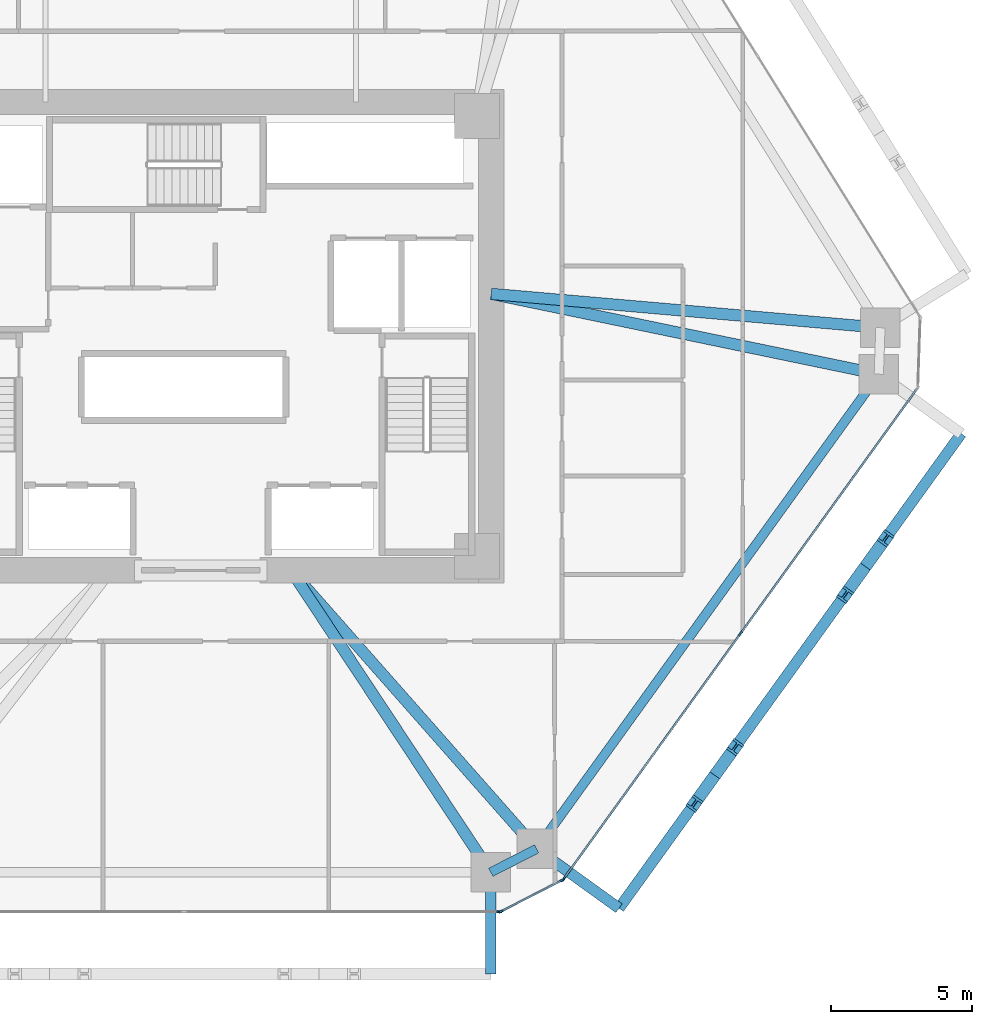
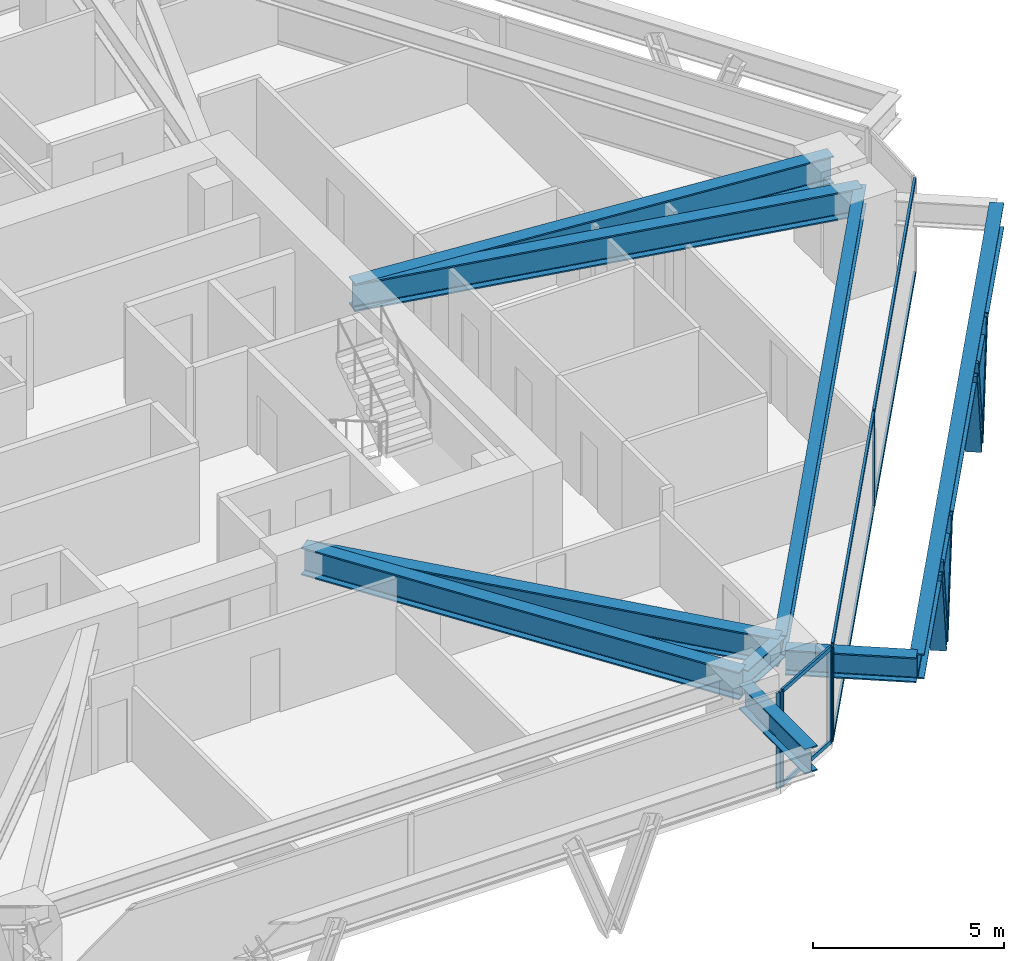
# One storey, part 5 of 15: 15 members, 9 beams, 3 elements without a shape of their own.
"""IFC4 building model written with IfcOpenShell, lengths in metres."""

from ifc_helpers import new_model, si_unit, direction, frame, origin, origin_2d, place, context, subcontext, project, spatial, rectangle, i_section, extrude, source, transform, mapped, material, layer, layer_set, material_profile, profile_set, type_object, type_shapes, element, aggregate, save


model = new_model("IFC4")

# Units and contexts
model_context = context("Model", 3, precision=1e-05, world=origin(), true_north=direction((0.0, 1.0)))
body_context = subcontext(model_context, "Body", "Model", "MODEL_VIEW")
ifc_project = project(units=[si_unit("LENGTHUNIT", "METRE"), si_unit("AREAUNIT", "SQUARE_METRE"), si_unit("VOLUMEUNIT", "CUBIC_METRE"), si_unit("PLANEANGLEUNIT", "RADIAN"), si_unit("MASSUNIT", "GRAM", prefix="KILO")], contexts=[model_context])

# Site, building, storey
site_placement = place(None, origin())
site = spatial("IfcSite", under=ifc_project, at=site_placement, CompositionType="ELEMENT")
building_placement = place(site_placement, origin())
building = spatial("IfcBuilding", under=site, at=building_placement, Name="Durnholm Broadcast Tower", CompositionType="ELEMENT")
storey_placement = place(building_placement, frame((0.0, 0.0, 62.10009765625)))
storey = spatial("IfcBuildingStorey", under=building, at=storey_placement, Name="L15", CompositionType="ELEMENT", Elevation=62.10009765625)

# Beams
ifc_material_1 = material(Name="Steel ASTM A992 Grade 50", Category="steel")
ifc_material_profile_1 = material_profile(ifc_material_1, i_section(OverallWidth=0.3291015625, OverallDepth=0.635009765625, WebThickness=0.017822265625, FlangeThickness=0.031005859375, FilletRadius=0.02783203125, at=origin_2d()), Name="W24X162")
ifc_profile_set_1 = profile_set([ifc_material_profile_1], Name="Steel ASTM A992 Grade 50")
beam_type_1 = type_object("IfcBeamType", Name="STL-SP-W24X162", PredefinedType="SPANDREL", material=ifc_profile_set_1)
shared_shape_1 = source(origin(), body_context, "Body", "SweptSolid", [
    extrude(i_section(OverallWidth=0.3291015625, OverallDepth=0.635009765625, WebThickness=0.017822265625, FlangeThickness=0.031005859375, FilletRadius=0.02783203125, at=origin_2d()), origin(), (0.0, 0.0, 1.0), 20.737060546875),
])
beam_1_placement = place(storey_placement, frame((24.034912109375, -1.347412109375, 2.727294921875), z_axis=(-0.584821933191, -0.811161701795, 0.0), x_axis=(0.811161701795, -0.584821933191, 0.0)))
element("IfcBeam", 1, at=beam_1_placement, inside=storey, type_object=beam_type_1, Name="L15 perimeter spandrel girder 09", PredefinedType="SPANDREL", context=body_context, shape_type="MappedRepresentation", body=[
    mapped(shared_shape_1, transform((0.0, 0.0, 0.0), x_axis=(1.0, 0.0, 0.0), y_axis=(0.0, 1.0, 0.0), z_axis=(0.0, 0.0, 1.0), scale=1.0)),
])
shared_shape_2 = source(origin(), body_context, "Body", "SweptSolid", [
    extrude(i_section(OverallWidth=0.3291015625, OverallDepth=0.635009765625, WebThickness=0.017822265625, FlangeThickness=0.031005859375, FilletRadius=0.02783203125, at=origin_2d()), origin(), (0.0, 0.0, 1.0), 1.8251953125),
])
type_shapes(beam_type_1, [shared_shape_1, shared_shape_2])
beam_2_placement = place(storey_placement, frame((11.907470703125, -18.16845703125, 2.727294921875), z_axis=(-0.890187609501, -0.455594139438, 0.0), x_axis=(0.455594139438, -0.890187609501, 0.0)))
element("IfcBeam", 2, at=beam_2_placement, inside=storey, type_object=beam_type_1, Name="L15 perimeter spandrel girder 10", PredefinedType="SPANDREL", context=body_context, shape_type="MappedRepresentation", body=[
    mapped(shared_shape_2, transform((0.0, 0.0, 0.0), x_axis=(1.0, 0.0, 0.0), y_axis=(0.0, 1.0, 0.0), z_axis=(0.0, 0.0, 1.0), scale=1.0)),
])
ifc_material_profile_2 = material_profile(ifc_material_1, i_section(OverallWidth=0.404052734375, OverallDepth=0.885009765625, WebThickness=0.0244140625, FlangeThickness=0.0439453125, FilletRadius=0.03564453125, at=origin_2d()), Name="W33X291")
ifc_profile_set_2 = profile_set([ifc_material_profile_2], Name="Steel ASTM A992 Grade 50")
beam_type_2 = type_object("IfcBeamType", Name="STL-GR-W33X291", PredefinedType="USERDEFINED", material=ifc_profile_set_2)
shared_shape_3 = source(origin(), body_context, "Body", "SweptSolid", [
    extrude(i_section(OverallWidth=0.404052734375, OverallDepth=0.885009765625, WebThickness=0.0244140625, FlangeThickness=0.0439453125, FilletRadius=0.03564453125, at=origin_2d()), origin(), (0.0, 0.0, 1.0), 13.843017578125),
])
beam_3_placement = place(storey_placement, frame((10.300048828125, 1.5, 2.6025390625), z_axis=(0.996234364864, -0.086701154915, 0.0), x_axis=(0.086701154915, 0.996234364864, 0.0)))
element("IfcBeam", 3, at=beam_3_placement, inside=storey, type_object=beam_type_2, Name="L15 radial primary floor girder 08", ObjectType="GIRDER", PredefinedType="USERDEFINED", context=body_context, shape_type="MappedRepresentation", body=[
    mapped(shared_shape_3, transform((0.0, 0.0, 0.0), x_axis=(1.0, 0.0, 0.0), y_axis=(0.0, 1.0, 0.0), z_axis=(0.0, 0.0, 1.0), scale=1.0)),
])
shared_shape_4 = source(origin(), body_context, "Body", "SweptSolid", [
    extrude(i_section(OverallWidth=0.404052734375, OverallDepth=0.885009765625, WebThickness=0.0244140625, FlangeThickness=0.0439453125, FilletRadius=0.03564453125, at=origin_2d()), origin(), (0.0, 0.0, 1.0), 14.02685546875),
])
beam_4_placement = place(storey_placement, frame((10.300048828125, 1.5, 2.6025390625), z_axis=(0.979179487914, -0.202996380382, 0.0), x_axis=(0.202996380382, 0.979179487914, 0.0)))
element("IfcBeam", 4, at=beam_4_placement, inside=storey, type_object=beam_type_2, Name="L15 radial primary floor girder 09", ObjectType="GIRDER", PredefinedType="USERDEFINED", context=body_context, shape_type="MappedRepresentation", body=[
    mapped(shared_shape_4, transform((0.0, 0.0, 0.0), x_axis=(1.0, 0.0, 0.0), y_axis=(0.0, 1.0, 0.0), z_axis=(0.0, 0.0, 1.0), scale=1.0)),
])
shared_shape_5 = source(origin(), body_context, "Body", "SweptSolid", [
    extrude(i_section(OverallWidth=0.404052734375, OverallDepth=0.885009765625, WebThickness=0.0244140625, FlangeThickness=0.0439453125, FilletRadius=0.03564453125, at=origin_2d()), origin(), (0.0, 0.0, 1.0), 13.160888671875),
])
beam_5_placement = place(storey_placement, frame((3.199951171875, -8.300048828125, 2.6025390625), z_axis=(0.661625931866, -0.749834065832, 0.0), x_axis=(0.749834065832, 0.661625931866, 0.0)))
element("IfcBeam", 5, at=beam_5_placement, inside=storey, type_object=beam_type_2, Name="L15 radial primary floor girder 10", ObjectType="GIRDER", PredefinedType="USERDEFINED", context=body_context, shape_type="MappedRepresentation", body=[
    mapped(shared_shape_5, transform((0.0, 0.0, 0.0), x_axis=(1.0, 0.0, 0.0), y_axis=(0.0, 1.0, 0.0), z_axis=(0.0, 0.0, 1.0), scale=1.0)),
])
shared_shape_6 = source(origin(), body_context, "Body", "SweptSolid", [
    extrude(i_section(OverallWidth=0.404052734375, OverallDepth=0.885009765625, WebThickness=0.0244140625, FlangeThickness=0.0439453125, FilletRadius=0.03564453125, at=origin_2d()), origin(), (0.0, 0.0, 1.0), 12.831787109375),
])
type_shapes(beam_type_2, [shared_shape_3, shared_shape_4, shared_shape_5, shared_shape_6])
beam_6_placement = place(storey_placement, frame((3.199951171875, -8.300048828125, 2.6025390625), z_axis=(0.551970609544, -0.833863565699, 0.0), x_axis=(0.833863565699, 0.551970609544, 0.0)))
element("IfcBeam", 6, at=beam_6_placement, inside=storey, type_object=beam_type_2, Name="L15 radial primary floor girder 11", ObjectType="GIRDER", PredefinedType="USERDEFINED", context=body_context, shape_type="MappedRepresentation", body=[
    mapped(shared_shape_6, transform((0.0, 0.0, 0.0), x_axis=(1.0, 0.0, 0.0), y_axis=(0.0, 1.0, 0.0), z_axis=(0.0, 0.0, 1.0), scale=1.0)),
])
ifc_material_profile_3 = material_profile(ifc_material_1, i_section(OverallWidth=0.385009765625, OverallDepth=0.802978515625, WebThickness=0.023681640625, FlangeThickness=0.0419921875, FilletRadius=0.032958984375, at=origin_2d()), Name="W30X261")
ifc_profile_set_3 = profile_set([ifc_material_profile_3], Name="Steel ASTM A992 Grade 50")
beam_type_3 = type_object("IfcBeamType", Name="BM-EXO-TIE", PredefinedType="USERDEFINED", material=ifc_profile_set_3)
shared_shape_7 = source(origin(), body_context, "Body", "SweptSolid", [
    extrude(i_section(OverallWidth=0.385009765625, OverallDepth=0.802978515625, WebThickness=0.023681640625, FlangeThickness=0.0419921875, FilletRadius=0.032958984375, at=origin_2d()), origin(), (0.0, 0.0, 1.0), 3.4560546875),
])
for number, where, z_axis, x_axis, name in (
    (7, (10.28271484375, -19.14404296875, 2.30859375), (0.0, -1.0, 0.0), (1.0, 0.0, 0.0), "L15 exoskeleton stand-off tie bracket F1.2"),
    (8, (12.024169921875, -18.252685546875, 2.30859375), (0.811157675106, -0.584827518262, 0.0), (0.584827518262, 0.811157675106, 0.0), "L15 exoskeleton stand-off tie bracket F2.1"),
):
    element("IfcBeam", number, at=place(storey_placement, frame(where, z_axis=z_axis, x_axis=x_axis)), inside=storey, type_object=beam_type_3, Name=name, ObjectType="GIRDER", PredefinedType="USERDEFINED", context=body_context, shape_type="MappedRepresentation", body=[
        mapped(shared_shape_7, transform((0.0, 0.0, 0.0), x_axis=(1.0, 0.0, 0.0), y_axis=(0.0, 1.0, 0.0), z_axis=(0.0, 0.0, 1.0), scale=1.0)),
    ])
shared_shape_8 = source(origin(), body_context, "Body", "SweptSolid", [
    extrude(i_section(OverallWidth=0.385009765625, OverallDepth=0.802978515625, WebThickness=0.023681640625, FlangeThickness=0.0419921875, FilletRadius=0.032958984375, at=origin_2d()), origin(), (0.0, 0.0, 1.0), 20.737060546875),
])
type_shapes(beam_type_3, [shared_shape_7, shared_shape_8])
beam_7_placement = place(storey_placement, frame((14.82763671875, -20.27392578125, 2.30859375), z_axis=(0.5848163482, 0.811165728368, 0.0), x_axis=(-0.811165728368, 0.5848163482, 0.0)))
element("IfcBeam", 9, at=beam_7_placement, inside=storey, type_object=beam_type_3, Name="L15 exoskeleton collector spandrel F2", PredefinedType="SPANDREL", context=body_context, shape_type="MappedRepresentation", body=[
    mapped(shared_shape_8, transform((0.0, 0.0, 0.0), x_axis=(1.0, 0.0, 0.0), y_axis=(0.0, 1.0, 0.0), z_axis=(0.0, 0.0, 1.0), scale=1.0)),
])

# Members
ifc_material_2 = material(Name="Steel ASTM A913 Grade 65", Category="steel")
ifc_material_profile_4 = material_profile(ifc_material_2, i_section(OverallWidth=0.43212890625, OverallDepth=0.497802734375, WebThickness=0.0556640625, FlangeThickness=0.0888671875, FilletRadius=0.030517578125, at=origin_2d()), Name="W14X500")
ifc_profile_set_4 = profile_set([ifc_material_profile_4], Name="Steel ASTM A913 Grade 65")
member_type_1 = type_object("IfcMemberType", Name="STL-DG-W14X500", PredefinedType="BRACE", material=ifc_profile_set_4)
shared_shape_9 = source(origin(), body_context, "Body", "SweptSolid", [
    extrude(i_section(OverallWidth=0.43212890625, OverallDepth=0.497802734375, WebThickness=0.0556640625, FlangeThickness=0.0888671875, FilletRadius=0.030517578125, at=origin_2d()), origin(), (0.0, 0.0, 1.0), 3.523193359375),
])
type_shapes(member_type_1, [shared_shape_9])
for number, where, z_axis, x_axis, name in (
    (10, (18.223388671875, -15.56396484375, -0.991455078125), (-0.204839138341, -0.284044529113, 0.93667477434), (0.81109123444, -0.58491966065, 0.0), "L15 stand-off diagrid brace F2.D1.1"),
    (11, (18.223388671875, -15.56396484375, -0.991455078125), (0.20477274847, 0.284048560399, 0.936688068046), (-0.811185111535, 0.584789461963, 0.0), "L15 stand-off diagrid brace F2.D1.2"),
    (12, (23.5595703125, -8.16259765625, -0.991455078125), (-0.204839138341, -0.284044529113, 0.93667477434), (0.81109123444, -0.58491966065, 0.0), "L15 stand-off diagrid brace F2.D2.1"),
    (13, (23.5595703125, -8.16259765625, -0.991455078125), (0.20477274847, 0.284048560399, 0.936688068046), (-0.811185111535, 0.584789461963, 0.0), "L15 stand-off diagrid brace F2.D2.2"),
):
    element("IfcMember", number, at=place(storey_placement, frame(where, z_axis=z_axis, x_axis=x_axis)), inside=storey, type_object=member_type_1, Name=name, PredefinedType="BRACE", context=body_context, shape_type="MappedRepresentation", body=[
        mapped(shared_shape_9, transform((0.0, 0.0, 0.0), x_axis=(1.0, 0.0, 0.0), y_axis=(0.0, 1.0, 0.0), z_axis=(0.0, 0.0, 1.0), scale=1.0)),
    ])

# Curtain wall, members
ifc_material_3 = material(Name="Aluminium and Solar Control IGU", Category="aluminium")
ifc_layer_1 = layer(ifc_material_3, 0.1650390625)
ifc_layer_set_1 = layer_set([ifc_layer_1], Name="Aluminium and Solar Control IGU")
curtain_wall_type_1 = type_object("IfcCurtainWallType", Name="CW-SYS-5", PredefinedType="NOTDEFINED", material=ifc_layer_set_1)
curtain_wall_1_placement = place(storey_placement, origin())
curtain_wall_1 = element("IfcCurtainWall", 14, at=curtain_wall_1_placement, inside=storey, type_object=curtain_wall_type_1, Name="L15 curtain wall CW-CORNER CW-L15-CRN-09", PredefinedType="NOTDEFINED")
ifc_material_4 = material(Name="Aluminium 6063-T6", Category="aluminium")
ifc_material_profile_5 = material_profile(ifc_material_4, rectangle(XDim=0.06494140625, YDim=0.1298828125, at=origin_2d()), Name="CWT65X130")
ifc_profile_set_5 = profile_set([ifc_material_profile_5], Name="Aluminium 6063-T6")
member_type_2 = type_object("IfcMemberType", Name="CW-SYS-5-TRN", PredefinedType="USERDEFINED", material=ifc_profile_set_5)
shared_shape_10 = source(origin(), body_context, "Body", "SweptSolid", [
    extrude(rectangle(XDim=0.06494140625, YDim=0.1298828125, at=origin_2d()), origin(), (0.0, 0.0, 1.0), 2.3701171875),
])
type_shapes(member_type_2, [shared_shape_10])
member_1_placement = place(storey_placement, frame((12.787841796875, -19.29052734375, 0.032470703125), z_axis=(-0.890185016934, -0.455599205033, 0.0), x_axis=(0.455599205033, -0.890185016934, 0.0)))
member_1 = element("IfcMember", 15, at=member_1_placement, type_object=member_type_2, Name="CW-CORNER transom 1.1", ObjectType="TRANSOM", PredefinedType="USERDEFINED", context=body_context, shape_type="MappedRepresentation", body=[
    mapped(shared_shape_10, transform((0.0, 0.0, 0.0), x_axis=(1.0, 0.0, 0.0), y_axis=(0.0, 1.0, 0.0), z_axis=(0.0, 0.0, 1.0), scale=1.0)),
])
member_2_placement = place(storey_placement, frame((12.787841796875, -19.29052734375, 3.02734375), z_axis=(-0.890185016934, -0.455599205033, 0.0), x_axis=(0.455599205033, -0.890185016934, 0.0)))
member_2 = element("IfcMember", 16, at=member_2_placement, type_object=member_type_2, Name="CW-CORNER transom 1.2", ObjectType="TRANSOM", PredefinedType="USERDEFINED", context=body_context, shape_type="MappedRepresentation", body=[
    mapped(shared_shape_10, transform((0.0, 0.0, 0.0), x_axis=(1.0, 0.0, 0.0), y_axis=(0.0, 1.0, 0.0), z_axis=(0.0, 0.0, 1.0), scale=1.0)),
])

ifc_layer_2 = layer(ifc_material_3, 0.18994140625)
ifc_layer_set_2 = layer_set([ifc_layer_2], Name="Aluminium and Solar Control IGU")
curtain_wall_type_2 = type_object("IfcCurtainWallType", Name="CW-SYS-3", PredefinedType="NOTDEFINED", material=ifc_layer_set_2)
curtain_wall_2_placement = place(storey_placement, origin())
curtain_wall_2 = element("IfcCurtainWall", 17, at=curtain_wall_2_placement, inside=storey, type_object=curtain_wall_type_2, Name="L15 curtain wall CW-Z12-VIS CW-L15-F08", PredefinedType="NOTDEFINED")
ifc_material_profile_6 = material_profile(ifc_material_4, rectangle(XDim=0.070068359375, YDim=0.14990234375, at=origin_2d()), Name="CWT70X150")
ifc_profile_set_6 = profile_set([ifc_material_profile_6], Name="Aluminium 6063-T6")
member_type_3 = type_object("IfcMemberType", Name="CW-SYS-3-TRN", PredefinedType="USERDEFINED", material=ifc_profile_set_6)
shared_shape_11 = source(origin(), body_context, "Body", "SweptSolid", [
    extrude(rectangle(XDim=0.070068359375, YDim=0.14990234375, at=origin_2d()), origin(), (0.0, 0.0, 1.0), 10.6455078125),
])
member_3_placement = place(storey_placement, frame((25.37890625, -1.877197265625, 0.034912109375), z_axis=(-0.584812103659, -0.811168788486, 0.0), x_axis=(0.811168788486, -0.584812103659, 0.0)))
member_3 = element("IfcMember", 18, at=member_3_placement, type_object=member_type_3, Name="CW-Z12-VIS transom 1.1", ObjectType="TRANSOM", PredefinedType="USERDEFINED", context=body_context, shape_type="MappedRepresentation", body=[
    mapped(shared_shape_11, transform((0.0, 0.0, 0.0), x_axis=(1.0, 0.0, 0.0), y_axis=(0.0, 1.0, 0.0), z_axis=(0.0, 0.0, 1.0), scale=1.0)),
])
member_4_placement = place(storey_placement, frame((25.37890625, -1.877197265625, 3.02490234375), z_axis=(-0.584812103659, -0.811168788486, 0.0), x_axis=(0.811168788486, -0.584812103659, 0.0)))
member_4 = element("IfcMember", 19, at=member_4_placement, type_object=member_type_3, Name="CW-Z12-VIS transom 1.2", ObjectType="TRANSOM", PredefinedType="USERDEFINED", context=body_context, shape_type="MappedRepresentation", body=[
    mapped(shared_shape_11, transform((0.0, 0.0, 0.0), x_axis=(1.0, 0.0, 0.0), y_axis=(0.0, 1.0, 0.0), z_axis=(0.0, 0.0, 1.0), scale=1.0)),
])
shared_shape_12 = source(origin(), body_context, "Body", "SweptSolid", [
    extrude(rectangle(XDim=0.070068359375, YDim=0.14990234375, at=origin_2d()), origin(), (0.0, 0.0, 1.0), 10.645263671875),
])
type_shapes(member_type_3, [shared_shape_11, shared_shape_12])
member_5_placement = place(storey_placement, frame((19.1123046875, -10.569091796875, 0.034912109375), z_axis=(-0.584822983179, -0.811160944786, 0.0), x_axis=(0.811160944786, -0.584822983179, 0.0)))
member_5 = element("IfcMember", 20, at=member_5_placement, type_object=member_type_3, Name="CW-Z12-VIS transom 2.1", ObjectType="TRANSOM", PredefinedType="USERDEFINED", context=body_context, shape_type="MappedRepresentation", body=[
    mapped(shared_shape_12, transform((0.0, 0.0, 0.0), x_axis=(1.0, 0.0, 0.0), y_axis=(0.0, 1.0, 0.0), z_axis=(0.0, 0.0, 1.0), scale=1.0)),
])
member_6_placement = place(storey_placement, frame((19.1123046875, -10.569091796875, 3.02490234375), z_axis=(-0.584822983179, -0.811160944786, 0.0), x_axis=(0.811160944786, -0.584822983179, 0.0)))
member_6 = element("IfcMember", 21, at=member_6_placement, type_object=member_type_3, Name="CW-Z12-VIS transom 2.2", ObjectType="TRANSOM", PredefinedType="USERDEFINED", context=body_context, shape_type="MappedRepresentation", body=[
    mapped(shared_shape_12, transform((0.0, 0.0, 0.0), x_axis=(1.0, 0.0, 0.0), y_axis=(0.0, 1.0, 0.0), z_axis=(0.0, 0.0, 1.0), scale=1.0)),
])

# Member
ifc_material_profile_7 = material_profile(ifc_material_4, rectangle(XDim=0.06494140625, YDim=0.1650390625, at=origin_2d()), Name="CWM65X165")
ifc_profile_set_7 = profile_set([ifc_material_profile_7], Name="Aluminium 6063-T6")
member_type_4 = type_object("IfcMemberType", Name="CW-SYS-5-MUL", PredefinedType="MULLION", material=ifc_profile_set_7)
shared_shape_13 = source(origin(), body_context, "Body", "SweptSolid", [
    extrude(rectangle(XDim=0.06494140625, YDim=0.1650390625, at=origin_2d()), origin(), (0.0, 0.0, 1.0), 3.059814453125),
])
type_shapes(member_type_4, [shared_shape_13])
member_7_placement = place(storey_placement, frame((12.816650390625, -19.27587890625, 0.0), z_axis=(0.0, 0.0, 1.0), x_axis=(0.455593758406, -0.890187804512, 0.0)))
member_7 = element("IfcMember", 22, at=member_7_placement, type_object=member_type_4, Name="CW-CORNER mullion 1", PredefinedType="MULLION", context=body_context, shape_type="MappedRepresentation", body=[
    mapped(shared_shape_13, transform((0.0, 0.0, 0.0), x_axis=(1.0, 0.0, 0.0), y_axis=(0.0, 1.0, 0.0), z_axis=(0.0, 0.0, 1.0), scale=1.0)),
])

member_8_placement = place(storey_placement, frame((10.649169921875, -20.38525390625, 0.0), z_axis=(0.0, 0.0, 1.0), x_axis=(0.455593758406, -0.890187804512, 0.0)))
member_8 = element("IfcMember", 23, at=member_8_placement, type_object=member_type_4, Name="CW-CORNER mullion 2", PredefinedType="MULLION", context=body_context, shape_type="MappedRepresentation", body=[
    mapped(shared_shape_13, transform((0.0, 0.0, 0.0), x_axis=(1.0, 0.0, 0.0), y_axis=(0.0, 1.0, 0.0), z_axis=(0.0, 0.0, 1.0), scale=1.0)),
])

aggregate(curtain_wall_1, [member_7, member_8, member_1, member_2])

ifc_material_profile_8 = material_profile(ifc_material_4, rectangle(XDim=0.070068359375, YDim=0.18994140625, at=origin_2d()), Name="CWM70X190")
ifc_profile_set_8 = profile_set([ifc_material_profile_8], Name="Aluminium 6063-T6")
member_type_5 = type_object("IfcMemberType", Name="CW-SYS-3-MUL", PredefinedType="MULLION", material=ifc_profile_set_8)
shared_shape_14 = source(origin(), body_context, "Body", "SweptSolid", [
    extrude(rectangle(XDim=0.070068359375, YDim=0.18994140625, at=origin_2d()), origin(), (0.0, 0.0, 1.0), 3.059814453125),
])
type_shapes(member_type_5, [shared_shape_14])
member_9_placement = place(storey_placement, frame((19.1328125, -10.540771484375, 0.0), z_axis=(0.0, 0.0, 1.0), x_axis=(0.81116057493, -0.584823496176, 0.0)))
member_9 = element("IfcMember", 24, at=member_9_placement, type_object=member_type_5, Name="CW-Z12-VIS mullion 2", PredefinedType="MULLION", context=body_context, shape_type="MappedRepresentation", body=[
    mapped(shared_shape_14, transform((0.0, 0.0, 0.0), x_axis=(1.0, 0.0, 0.0), y_axis=(0.0, 1.0, 0.0), z_axis=(0.0, 0.0, 1.0), scale=1.0)),
])

member_10_placement = place(storey_placement, frame((12.8662109375, -19.232666015625, 0.0), z_axis=(0.0, 0.0, 1.0), x_axis=(0.81116057493, -0.584823496176, 0.0)))
member_10 = element("IfcMember", 25, at=member_10_placement, type_object=member_type_5, Name="CW-Z12-VIS mullion 3", PredefinedType="MULLION", context=body_context, shape_type="MappedRepresentation", body=[
    mapped(shared_shape_14, transform((0.0, 0.0, 0.0), x_axis=(1.0, 0.0, 0.0), y_axis=(0.0, 1.0, 0.0), z_axis=(0.0, 0.0, 1.0), scale=1.0)),
])

aggregate(curtain_wall_2, [member_9, member_10, member_3, member_4, member_5, member_6])

# Curtain wall, member
curtain_wall_3_placement = place(storey_placement, origin())
curtain_wall_3 = element("IfcCurtainWall", 26, at=curtain_wall_3_placement, inside=storey, type_object=curtain_wall_type_2, Name="L15 curtain wall CW-Z12-VIS CW-L15-F10", PredefinedType="NOTDEFINED")
member_11_placement = place(storey_placement, frame((10.585205078125, -20.39990234375, 0.0), z_axis=(0.0, 0.0, 1.0), x_axis=(0.0, -1.0, 0.0)))
member_11 = element("IfcMember", 27, at=member_11_placement, type_object=member_type_5, Name="CW-Z12-VIS mullion 1", PredefinedType="MULLION", context=body_context, shape_type="MappedRepresentation", body=[
    mapped(shared_shape_14, transform((0.0, 0.0, 0.0), x_axis=(1.0, 0.0, 0.0), y_axis=(0.0, 1.0, 0.0), z_axis=(0.0, 0.0, 1.0), scale=1.0)),
])
aggregate(curtain_wall_3, [member_11])

save(model, "model.ifc")
